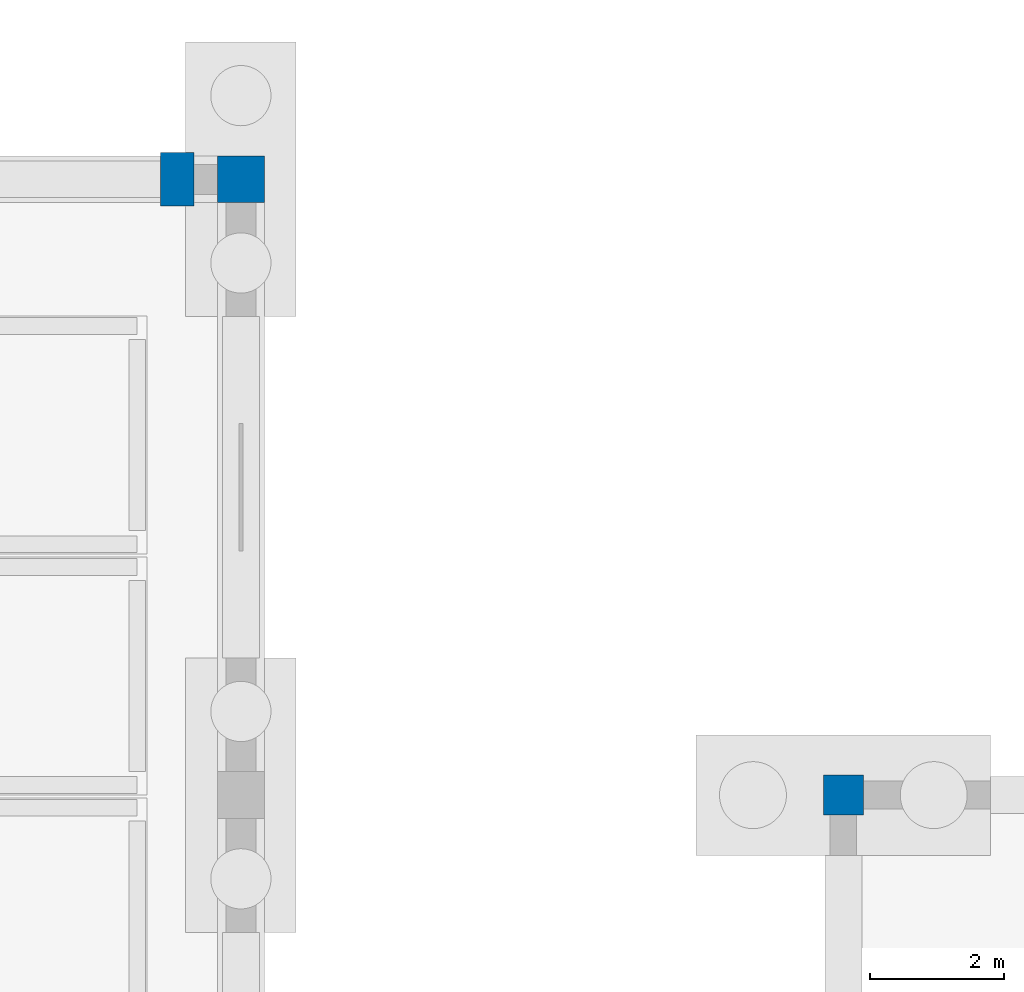
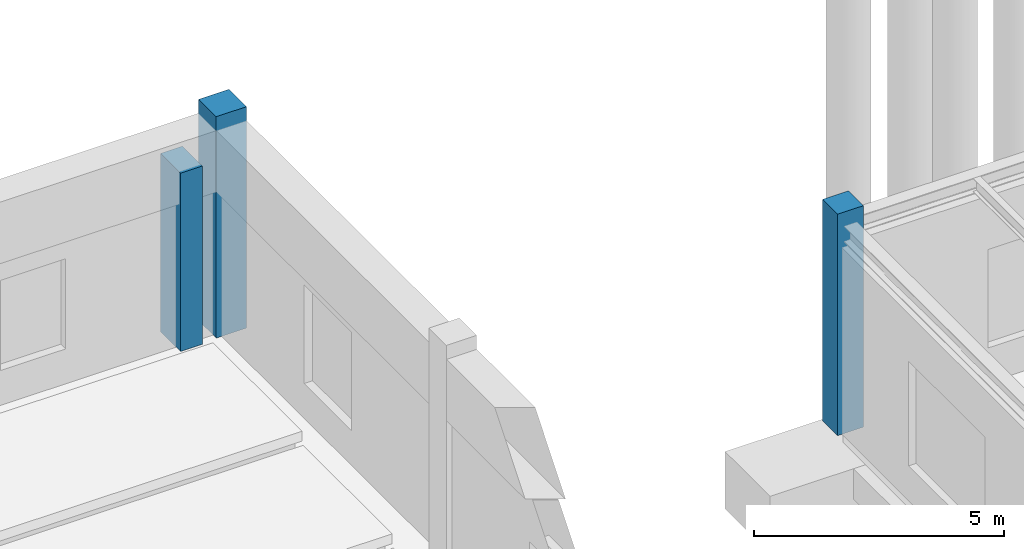
# One storey, part 10 of 76: 3 columns.
"""IFC4 building model written with IfcOpenShell, lengths in metres."""

from ifc_helpers import new_model, si_unit, direction, frame, origin, origin_2d, place, context, subcontext, project, spatial, rectangle, extrude, material, material_profile, profile_set, type_object, element, save


model = new_model("IFC4")

# Units and contexts
model_context = context("Model", 3, precision=1e-05, world=origin(), true_north=direction((0.0, 1.0)))
body_context = subcontext(model_context, "Body", "Model", "MODEL_VIEW")
ifc_project = project(units=[si_unit("LENGTHUNIT", "METRE"), si_unit("AREAUNIT", "SQUARE_METRE"), si_unit("VOLUMEUNIT", "CUBIC_METRE"), si_unit("PLANEANGLEUNIT", "RADIAN"), si_unit("MASSUNIT", "GRAM", prefix="KILO")], contexts=[model_context])

# Site, building, storey
site_placement = place(None, origin())
site = spatial("IfcSite", under=ifc_project, at=site_placement, CompositionType="ELEMENT")
building_placement = place(site_placement, origin())
building = spatial("IfcBuilding", under=site, at=building_placement, Name="Bozkorgan Art Gallery", CompositionType="ELEMENT")
storey_placement = place(building_placement, origin())
storey = spatial("IfcBuildingStorey", under=building, at=storey_placement, Name="L00", CompositionType="ELEMENT", Elevation=0.0)

# Columns
ifc_material = material(Name="Concrete C40/50", Category="concrete")
ifc_material_profile_1 = material_profile(ifc_material, rectangle(XDim=0.60009765625, YDim=0.60009765625, at=origin_2d()), Name="RC 600x600")
ifc_profile_set_1 = profile_set([ifc_material_profile_1], Name="Concrete C40/50")
column_type_1 = type_object("IfcColumnType", Name="COLUMN-C-24", PredefinedType="COLUMN", material=ifc_profile_set_1)
column_1_placement = place(storey_placement, frame((128.0, 20.0, 0.0), z_axis=(0.0, 0.0, 1.0), x_axis=(1.0, 0.0, 0.0)))
element("IfcColumn", 1, at=column_1_placement, inside=storey, type_object=column_type_1, Name="V6 L00 column (128.0, 20.0)", PredefinedType="COLUMN", context=body_context, shape_type="SweptSolid", body=[
    extrude(rectangle(XDim=0.60009765625, YDim=0.60009765625, at=origin_2d()), origin(), (0.0, 0.0, 1.0), 5.39990234375),
])
ifc_material_profile_2 = material_profile(ifc_material, rectangle(XDim=0.699951171875, YDim=0.699951171875, at=origin_2d()), Name="RC 700x700")
ifc_profile_set_2 = profile_set([ifc_material_profile_2], Name="Concrete C40/50")
column_type_2 = type_object("IfcColumnType", Name="COLUMN-C-73", PredefinedType="COLUMN", material=ifc_profile_set_2)
column_2_placement = place(storey_placement, frame((119.0, 29.199951171875, 0.0), z_axis=(0.0, 0.0, 1.0), x_axis=(1.0, 0.0, 0.0)))
element("IfcColumn", 2, at=column_2_placement, inside=storey, type_object=column_type_2, Name="V3 L00 column (119.0, 29.2)", PredefinedType="COLUMN", context=body_context, shape_type="SweptSolid", body=[
    extrude(rectangle(XDim=0.699951171875, YDim=0.699951171875, at=origin_2d()), origin(), (0.0, 0.0, 1.0), 5.39990234375),
])
ifc_material_profile_3 = material_profile(ifc_material, rectangle(XDim=0.5, YDim=0.800048828125, at=origin_2d()), Name="RC 500x800")
ifc_profile_set_3 = profile_set([ifc_material_profile_3], Name="Concrete C40/50")
column_type_3 = type_object("IfcColumnType", Name="COLUMN-PL-73", PredefinedType="PILASTER", material=ifc_profile_set_3)
column_3_placement = place(storey_placement, frame((118.050048828125, 29.199951171875, 0.0), z_axis=(0.0, 0.0, 1.0), x_axis=(1.0, 0.0, 0.0)))
element("IfcColumn", 3, at=column_3_placement, inside=storey, type_object=column_type_3, Name="V3 L00 corner masonry pilaster 4", PredefinedType="PILASTER", context=body_context, shape_type="SweptSolid", body=[
    extrude(rectangle(XDim=0.5, YDim=0.800048828125, at=origin_2d()), origin(), (0.0, 0.0, 1.0), 4.35009765625),
])

save(model, "model.ifc")
